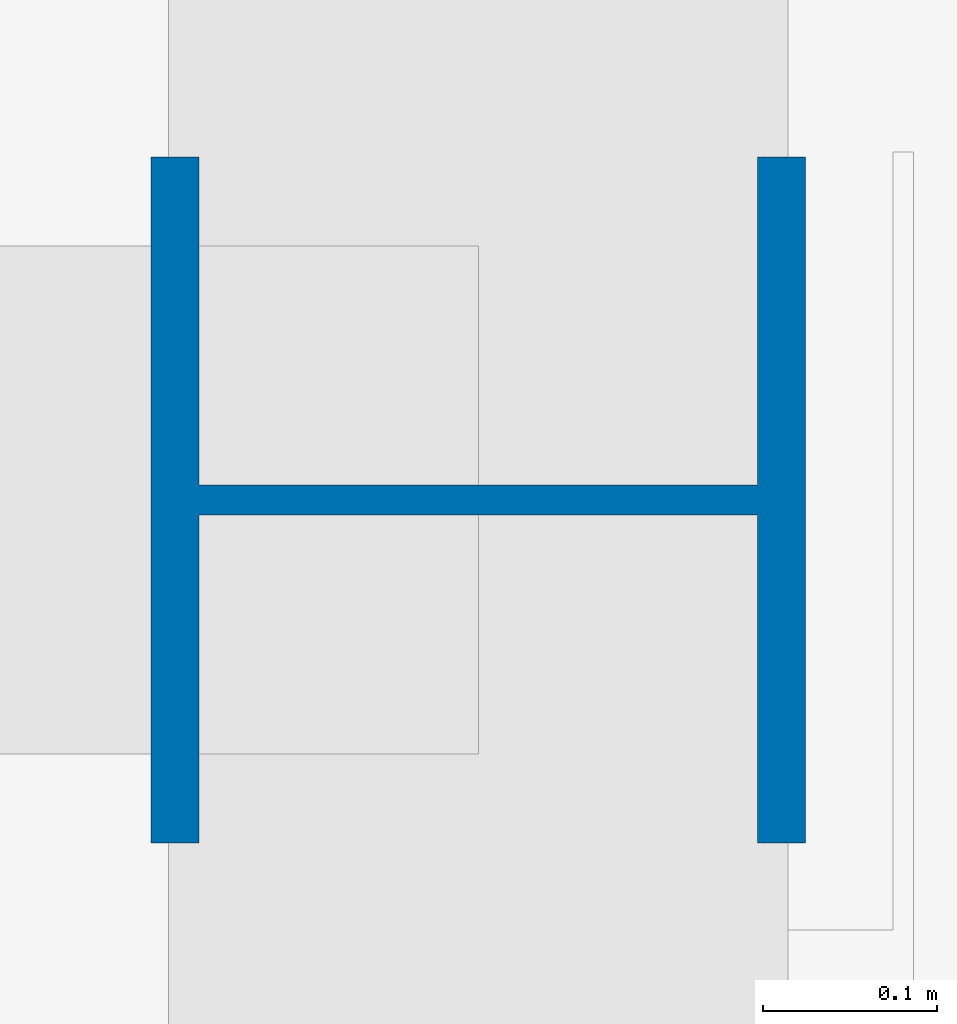
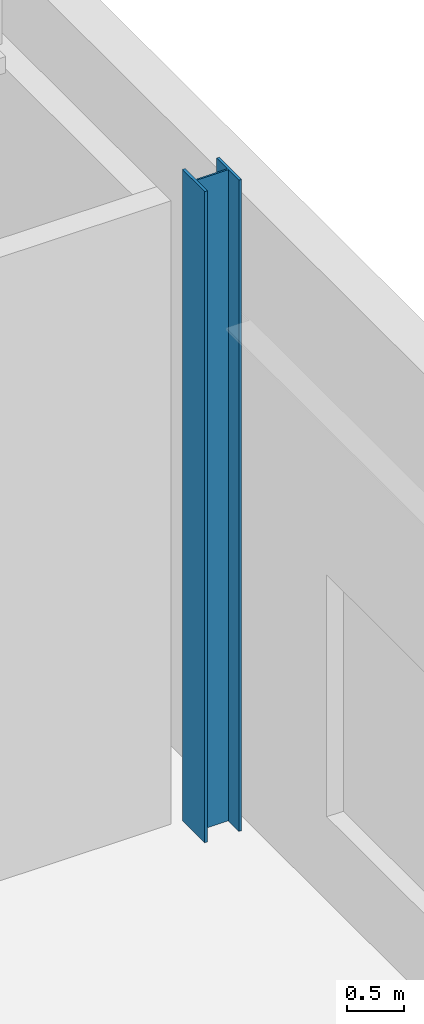
# One storey, part 6 of 32: 1 column.
"""IFC4 building model written with IfcOpenShell, lengths in metres."""

from ifc_helpers import new_model, si_unit, direction, frame, origin, origin_2d, place, context, subcontext, project, spatial, i_section, extrude, material, material_profile, profile_set, type_object, element, save


model = new_model("IFC4")

# Units and contexts
model_context = context("Model", 3, precision=1e-05, world=origin(), true_north=direction((0.0, 1.0)))
body_context = subcontext(model_context, "Body", "Model", "MODEL_VIEW")
ifc_project = project(units=[si_unit("LENGTHUNIT", "METRE"), si_unit("AREAUNIT", "SQUARE_METRE"), si_unit("VOLUMEUNIT", "CUBIC_METRE"), si_unit("PLANEANGLEUNIT", "RADIAN"), si_unit("MASSUNIT", "GRAM", prefix="KILO")], contexts=[model_context])

# Site, building, storey
site_placement = place(None, origin())
site = spatial("IfcSite", under=ifc_project, at=site_placement, CompositionType="ELEMENT")
building_placement = place(site_placement, origin())
building = spatial("IfcBuilding", under=site, at=building_placement, Name="Loomwork Tower", CompositionType="ELEMENT")
storey_placement = place(building_placement, frame((0.0, 0.0, 16.0)))
storey = spatial("IfcBuildingStorey", under=building, at=storey_placement, Name="L03", CompositionType="ELEMENT", Elevation=16.0)

# Column
ifc_material = material(Name="Steel ASTM A992", Category="steel")
ifc_material_profile = material_profile(ifc_material, i_section(OverallWidth=0.393798828125, OverallDepth=0.3759765625, WebThickness=0.017333984375, FlangeThickness=0.027587890625, at=origin_2d()), Name="W14x145")
ifc_profile_set = profile_set([ifc_material_profile], Name="Steel ASTM A992")
column_type = type_object("IfcColumnType", Name="PODIUM COLUMN W14x145", PredefinedType="COLUMN", material=ifc_profile_set)
column_placement = place(storey_placement, frame((63.0, 36.0, 0.0), z_axis=(0.0, 0.0, 1.0), x_axis=(0.0, 1.0, 0.0)))
element("IfcColumn", 1, at=column_placement, inside=storey, type_object=column_type, Name="Podium Column H/9 L03", PredefinedType="COLUMN", context=body_context, shape_type="SweptSolid", body=[
    extrude(i_section(OverallWidth=0.393798828125, OverallDepth=0.3759765625, WebThickness=0.017333984375, FlangeThickness=0.027587890625, at=origin_2d()), origin(), (0.0, 0.0, 1.0), 7.0),
])

save(model, "model.ifc")
